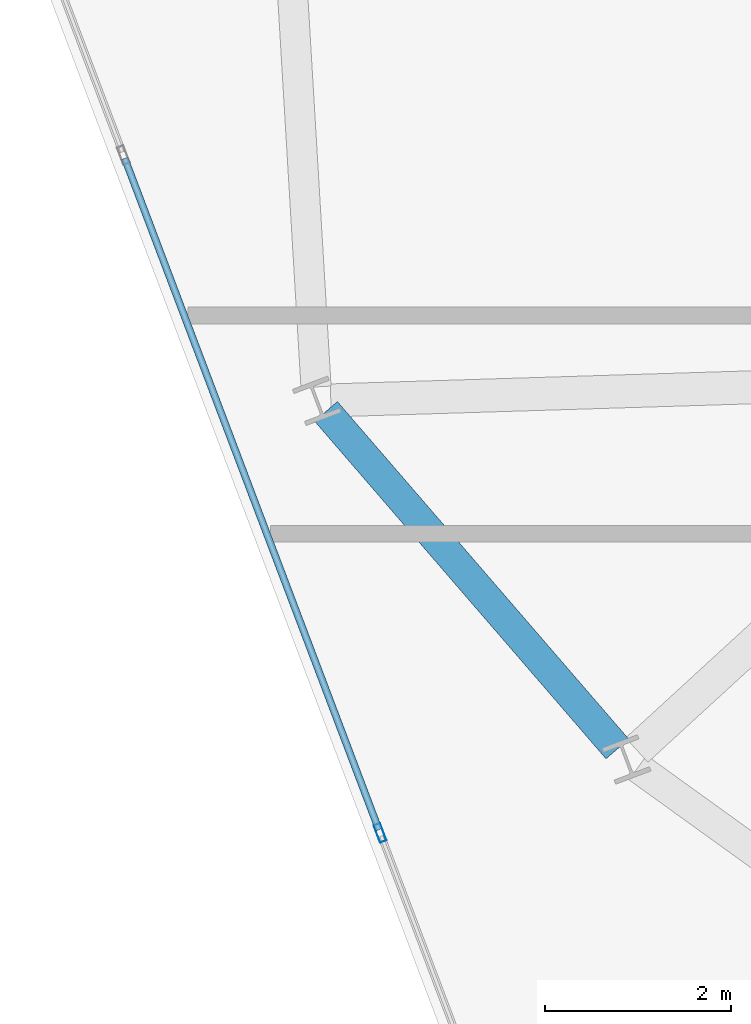
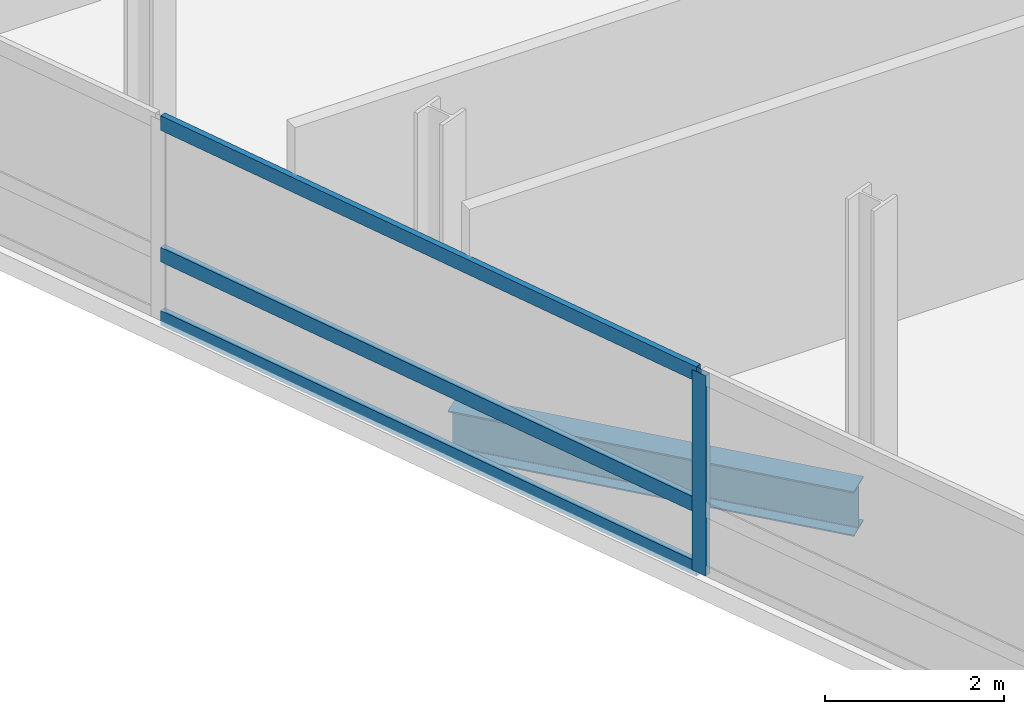
# One storey, part 7 of 24: 4 members, 1 beam, 1 element without a shape of its own.
"""IFC4 building model written with IfcOpenShell, lengths in metres."""

from ifc_helpers import new_model, si_unit, direction, frame, origin, origin_2d, place, context, subcontext, project, spatial, hollow_rectangle, i_section, extrude, material, layer, layer_set, material_profile, profile_set, type_object, element, aggregate, save


model = new_model("IFC4")

# Units and contexts
model_context = context("Model", 3, precision=1e-05, world=origin(), true_north=direction((0.0, 1.0)))
body_context = subcontext(model_context, "Body", "Model", "MODEL_VIEW")
ifc_project = project(units=[si_unit("LENGTHUNIT", "METRE"), si_unit("AREAUNIT", "SQUARE_METRE"), si_unit("VOLUMEUNIT", "CUBIC_METRE"), si_unit("PLANEANGLEUNIT", "RADIAN"), si_unit("MASSUNIT", "GRAM", prefix="KILO")], contexts=[model_context])

# Site, building, storey
site_placement = place(None, origin())
site = spatial("IfcSite", under=ifc_project, at=site_placement, CompositionType="ELEMENT")
building_placement = place(site_placement, origin())
building = spatial("IfcBuilding", under=site, at=building_placement, Name="Varnelok Gate Tower", CompositionType="ELEMENT")
storey_placement = place(building_placement, frame((0.0, 0.0, 212.699951171875)))
storey = spatial("IfcBuildingStorey", under=building, at=storey_placement, Name="L54", CompositionType="ELEMENT", Elevation=212.699951171875)

# Beam
ifc_material_1 = material(Name="Structural Steel ASTM A992 Grade 50", Category="steel")
ifc_material_profile_1 = material_profile(ifc_material_1, i_section(OverallWidth=0.323974609375, OverallDepth=0.611083984375, WebThickness=0.0126953125, FlangeThickness=0.01904296875, FilletRadius=0.01806640625, at=origin_2d()), Name="W24X104")
ifc_profile_set_1 = profile_set([ifc_material_profile_1], Name="Structural Steel ASTM A992 Grade 50")
beam_type = type_object("IfcBeamType", Name="BM-SPN-W24X104", PredefinedType="SPANDREL", material=ifc_profile_set_1)
beam_placement = place(storey_placement, frame((7.79248046875, 18.1669921875, -0.555419921875), z_axis=(0.653484787698, -0.756939649013, 0.0), x_axis=(0.756939649013, 0.653484787698, 0.0)))
element("IfcBeam", 1, at=beam_placement, inside=storey, type_object=beam_type, Name="L54 Perimeter Spandrel Beam 15", PredefinedType="SPANDREL", context=body_context, shape_type="SweptSolid", body=[
    extrude(i_section(OverallWidth=0.323974609375, OverallDepth=0.611083984375, WebThickness=0.0126953125, FlangeThickness=0.01904296875, FilletRadius=0.01806640625, at=origin_2d()), origin(), (0.0, 0.0, 1.0), 4.800048828125),
])

# Curtain wall, members
ifc_material_2 = material(Name="Anodized Aluminum Alloy 6063-T6", Category="aluminium")
ifc_layer = layer(ifc_material_2, 0.179931640625)
ifc_layer_set = layer_set([ifc_layer], Name="Anodized Aluminum Alloy 6063-T6")
curtain_wall_type = type_object("IfcCurtainWallType", Name="CW4-RESIDENCE-VISION", PredefinedType="USERDEFINED", material=ifc_layer_set)
curtain_wall_placement = place(storey_placement, origin())
curtain_wall = element("IfcCurtainWall", 2, at=curtain_wall_placement, inside=storey, type_object=curtain_wall_type, Name="L54 West End Vision Curtain Wall", ObjectType="UNITISED CURTAIN WALL", PredefinedType="USERDEFINED")
ifc_material_profile_2 = material_profile(ifc_material_2, hollow_rectangle(XDim=0.074951171875, YDim=0.199951171875, WallThickness=0.00390625, at=origin_2d()), Name="ALU200X75X4")
ifc_profile_set_2 = profile_set([ifc_material_profile_2], Name="Anodized Aluminum Alloy 6063-T6")
member_type_1 = type_object("IfcMemberType", Name="CW-MULL-200", PredefinedType="MULLION", material=ifc_profile_set_2)
member_1_placement = place(storey_placement, frame((8.375, 13.630126953125, 0.0), z_axis=(0.0, 0.0, 1.0), x_axis=(-0.935221557832, -0.354063042079, 0.0)))
member_1 = element("IfcMember", 3, at=member_1_placement, type_object=member_type_1, Name="CW4 mullion 3", PredefinedType="MULLION", context=body_context, shape_type="SweptSolid", body=[
    extrude(hollow_rectangle(XDim=0.074951171875, YDim=0.199951171875, WallThickness=0.00390625, at=origin_2d()), origin(), (0.0, 0.0, 1.0), 2.72998046875),
])
ifc_material_profile_3 = material_profile(ifc_material_2, hollow_rectangle(XDim=0.074951171875, YDim=0.199951171875, WallThickness=0.00390625, at=origin_2d()), Name="ALU200X75X4")
ifc_profile_set_3 = profile_set([ifc_material_profile_3], Name="Anodized Aluminum Alloy 6063-T6")
member_type_2 = type_object("IfcMemberType", Name="CW-TRAN-200", PredefinedType="USERDEFINED", material=ifc_profile_set_3)
member_2_placement = place(storey_placement, frame((8.36181640625, 13.665283203125, 0.03759765625), z_axis=(-0.354058714128, 0.935223196328, 0.0), x_axis=(-0.935223196328, -0.354058714128, 0.0)))
member_2 = element("IfcMember", 4, at=member_2_placement, type_object=member_type_2, Name="CW4 transom 3.1", ObjectType="TRANSOM", PredefinedType="USERDEFINED", context=body_context, shape_type="SweptSolid", body=[
    extrude(hollow_rectangle(XDim=0.074951171875, YDim=0.199951171875, WallThickness=0.00390625, at=origin_2d()), origin(), (0.0, 0.0, 1.0), 7.72509765625),
])
member_3_placement = place(storey_placement, frame((8.36181640625, 13.665283203125, 0.900146484375), z_axis=(-0.354058714128, 0.935223196328, 0.0), x_axis=(-0.935223196328, -0.354058714128, 0.0)))
member_3 = element("IfcMember", 5, at=member_3_placement, type_object=member_type_2, Name="CW4 transom 3.2", ObjectType="TRANSOM", PredefinedType="USERDEFINED", context=body_context, shape_type="SweptSolid", body=[
    extrude(hollow_rectangle(XDim=0.074951171875, YDim=0.199951171875, WallThickness=0.00390625, at=origin_2d()), origin(), (0.0, 0.0, 1.0), 7.72509765625),
])
member_4_placement = place(storey_placement, frame((8.36181640625, 13.665283203125, 2.692626953125), z_axis=(-0.354058714128, 0.935223196328, 0.0), x_axis=(-0.935223196328, -0.354058714128, 0.0)))
member_4 = element("IfcMember", 6, at=member_4_placement, type_object=member_type_2, Name="CW4 transom 3.3", ObjectType="TRANSOM", PredefinedType="USERDEFINED", context=body_context, shape_type="SweptSolid", body=[
    extrude(hollow_rectangle(XDim=0.074951171875, YDim=0.199951171875, WallThickness=0.00390625, at=origin_2d()), origin(), (0.0, 0.0, 1.0), 7.72509765625),
])
aggregate(curtain_wall, [member_1, member_2, member_3, member_4])

save(model, "model.ifc")
